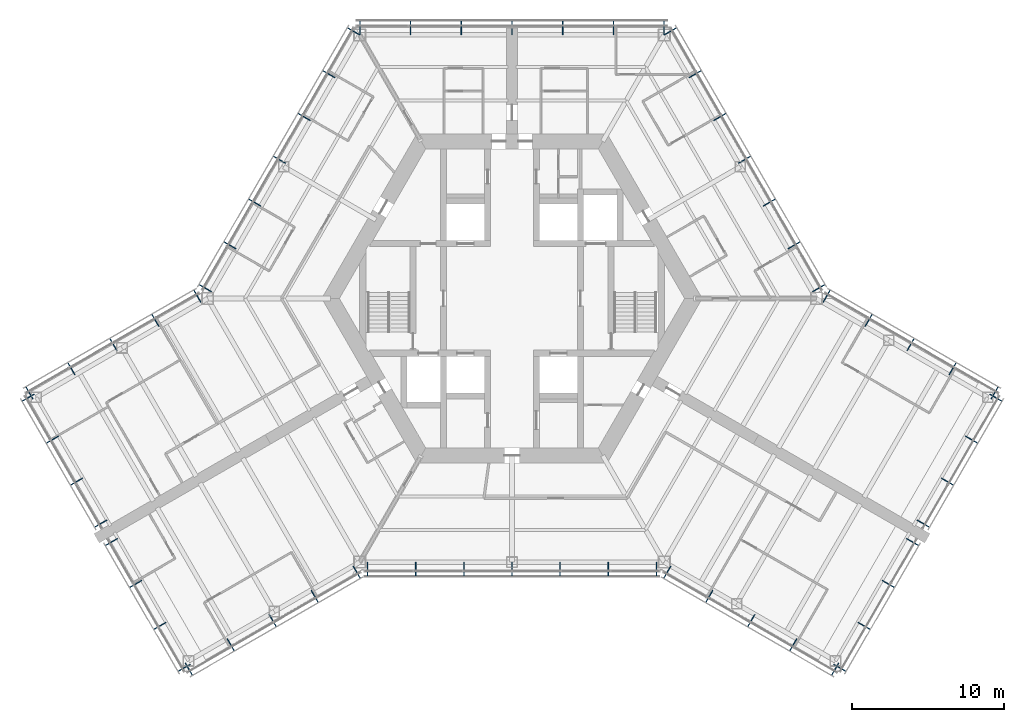
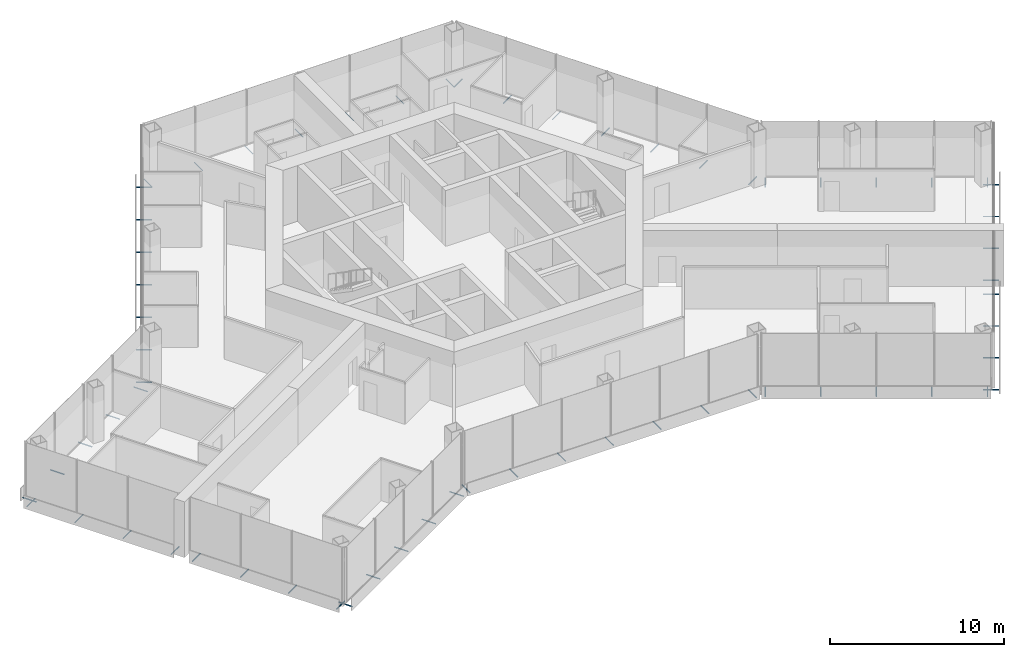
# One storey, part 16 of 18: 64 discrete accessories.
"""IFC4 building model written with IfcOpenShell, lengths in metres."""

from ifc_helpers import new_model, si_unit, direction, frame, origin, origin_2d, place, context, subcontext, project, spatial, hollow_circle, extrude, material, material_profile, profile_set, type_object, element, save


model = new_model("IFC4")

# Units and contexts
model_context = context("Model", 3, precision=1e-05, world=origin(), true_north=direction((0.0, 1.0)))
body_context = subcontext(model_context, "Body", "Model", "MODEL_VIEW")
ifc_project = project(units=[si_unit("LENGTHUNIT", "METRE"), si_unit("AREAUNIT", "SQUARE_METRE"), si_unit("VOLUMEUNIT", "CUBIC_METRE"), si_unit("PLANEANGLEUNIT", "RADIAN"), si_unit("MASSUNIT", "GRAM", prefix="KILO")], contexts=[model_context])

# Site, building, storey
site_placement = place(None, origin())
site = spatial("IfcSite", under=ifc_project, at=site_placement, CompositionType="ELEMENT")
building_placement = place(site_placement, origin())
building = spatial("IfcBuilding", under=site, at=building_placement, Name="Kasaneha Research Tower", CompositionType="ELEMENT")
storey_placement = place(building_placement, frame((0.0, 0.0, 152.60009765625)))
storey = spatial("IfcBuildingStorey", under=building, at=storey_placement, Name="L38", CompositionType="ELEMENT", Elevation=152.60009765625)

# Discrete accessories
ifc_material = material(Name="Steel STK400", Category="steel")
ifc_material_profile = material_profile(ifc_material, hollow_circle(Radius=0.0380859375, WallThickness=0.00390625, at=origin_2d()), Name="CHS-76.3x4.0")
ifc_profile_set = profile_set([ifc_material_profile], Name="Steel STK400")
discrete_accessory_type = type_object("IfcDiscreteAccessoryType", Name="Screen bracket CHS-76.3x4.0", PredefinedType="BRACKET", material=ifc_profile_set)
for number, where, z_axis, x_axis, name in (
    (1, (-9.4892578125, -17.320556640625, -0.300048828125), (0.0, -1.0, 0.0), (1.0, 0.0, 0.0), "Screen bracket 1"),
    (2, (-6.326171875, -17.320556640625, -0.300048828125), (0.0, -1.0, 0.0), (1.0, 0.0, 0.0), "Screen bracket 2"),
    (3, (-3.1630859375, -17.320556640625, -0.300048828125), (0.0, -1.0, 0.0), (1.0, 0.0, 0.0), "Screen bracket 3"),
    (4, (0.0, -17.320556640625, -0.300048828125), (0.0, -1.0, 0.0), (1.0, 0.0, 0.0), "Screen bracket 4"),
    (5, (3.1630859375, -17.320556640625, -0.300048828125), (0.0, -1.0, 0.0), (1.0, 0.0, 0.0), "Screen bracket 5"),
    (6, (6.326171875, -17.320556640625, -0.300048828125), (0.0, -1.0, 0.0), (1.0, 0.0, 0.0), "Screen bracket 6"),
    (7, (9.4892578125, -17.320556640625, -0.300048828125), (0.0, -1.0, 0.0), (1.0, 0.0, 0.0), "Screen bracket 7"),
    (8, (10.4423828125, -17.575927734375, -0.300048828125), (-0.500021113727, -0.866013213425, 0.0), (0.866013213425, -0.500021113727, 0.0), "Screen bracket 1"),
):
    element("IfcDiscreteAccessory", number, at=place(storey_placement, frame(where, z_axis=z_axis, x_axis=x_axis)), inside=storey, type_object=discrete_accessory_type, Name=name, PredefinedType="BRACKET", context=body_context, shape_type="SweptSolid", body=[
        extrude(hollow_circle(Radius=0.0380859375, WallThickness=0.00390625, at=origin_2d()), origin(), (0.0, 0.0, 1.0), 0.919921875),
    ])
discrete_accessory_1_placement = place(storey_placement, frame((13.200439453125, -19.168212890625, -0.300048828125), z_axis=(-0.499906209203, -0.866079547155, 0.0), x_axis=(0.866079547155, -0.499906209203, 0.0)))
element("IfcDiscreteAccessory", 9, at=discrete_accessory_1_placement, inside=storey, type_object=discrete_accessory_type, Name="Screen bracket 2", PredefinedType="BRACKET", context=body_context, shape_type="SweptSolid", body=[
    extrude(hollow_circle(Radius=0.0380859375, WallThickness=0.00390625, at=origin_2d()), origin(), (0.0, 0.0, 1.0), 0.920166015625),
])
discrete_accessory_2_placement = place(storey_placement, frame((15.95849609375, -20.7607421875, -0.300048828125), z_axis=(-0.500021113727, -0.866013213425, 0.0), x_axis=(0.866013213425, -0.500021113727, 0.0)))
element("IfcDiscreteAccessory", 10, at=discrete_accessory_2_placement, inside=storey, type_object=discrete_accessory_type, Name="Screen bracket 3", PredefinedType="BRACKET", context=body_context, shape_type="SweptSolid", body=[
    extrude(hollow_circle(Radius=0.0380859375, WallThickness=0.00390625, at=origin_2d()), origin(), (0.0, 0.0, 1.0), 0.919921875),
])
discrete_accessory_3_placement = place(storey_placement, frame((18.716796875, -22.35302734375, -0.300048828125), z_axis=(-0.500105201737, -0.865964657013, 0.0), x_axis=(0.865964657013, -0.500105201737, 0.0)))
element("IfcDiscreteAccessory", 11, at=discrete_accessory_3_placement, inside=storey, type_object=discrete_accessory_type, Name="Screen bracket 4", PredefinedType="BRACKET", context=body_context, shape_type="SweptSolid", body=[
    extrude(hollow_circle(Radius=0.0380859375, WallThickness=0.00390625, at=origin_2d()), origin(), (0.0, 0.0, 1.0), 0.920166015625),
])
discrete_accessory_4_placement = place(storey_placement, frame((21.474853515625, -23.945556640625, -0.300048828125), z_axis=(-0.500021113727, -0.866013213425, 0.0), x_axis=(0.866013213425, -0.500021113727, 0.0)))
element("IfcDiscreteAccessory", 12, at=discrete_accessory_4_placement, inside=storey, type_object=discrete_accessory_type, Name="Screen bracket 5", PredefinedType="BRACKET", context=body_context, shape_type="SweptSolid", body=[
    extrude(hollow_circle(Radius=0.0380859375, WallThickness=0.00390625, at=origin_2d()), origin(), (0.0, 0.0, 1.0), 0.919921875),
])
discrete_accessory_5_placement = place(storey_placement, frame((21.13330078125, -24.037109375, -0.300048828125), z_axis=(0.866079547155, -0.499906209203, 0.0), x_axis=(0.499906209203, 0.866079547155, 0.0)))
element("IfcDiscreteAccessory", 13, at=discrete_accessory_5_placement, inside=storey, type_object=discrete_accessory_type, Name="Screen bracket 1", PredefinedType="BRACKET", context=body_context, shape_type="SweptSolid", body=[
    extrude(hollow_circle(Radius=0.0380859375, WallThickness=0.00390625, at=origin_2d()), origin(), (0.0, 0.0, 1.0), 0.920166015625),
])
discrete_accessory_6_placement = place(storey_placement, frame((22.72509765625, -21.2802734375, -0.300048828125), z_axis=(0.866013213425, -0.500021113727, 0.0), x_axis=(0.500021113727, 0.866013213425, 0.0)))
element("IfcDiscreteAccessory", 14, at=discrete_accessory_6_placement, inside=storey, type_object=discrete_accessory_type, Name="Screen bracket 2", PredefinedType="BRACKET", context=body_context, shape_type="SweptSolid", body=[
    extrude(hollow_circle(Radius=0.0380859375, WallThickness=0.00390625, at=origin_2d()), origin(), (0.0, 0.0, 1.0), 0.919921875),
])
discrete_accessory_7_placement = place(storey_placement, frame((24.316650390625, -18.5234375, -0.300048828125), z_axis=(0.866079547155, -0.499906209203, 0.0), x_axis=(0.499906209203, 0.866079547155, 0.0)))
element("IfcDiscreteAccessory", 15, at=discrete_accessory_7_placement, inside=storey, type_object=discrete_accessory_type, Name="Screen bracket 3", PredefinedType="BRACKET", context=body_context, shape_type="SweptSolid", body=[
    extrude(hollow_circle(Radius=0.0380859375, WallThickness=0.00390625, at=origin_2d()), origin(), (0.0, 0.0, 1.0), 0.920166015625),
])
for number, where, z_axis, x_axis, name in (
    (16, (25.908447265625, -15.766357421875, -0.300048828125), (0.865898279276, -0.500220121494, 0.0), (0.500220121494, 0.865898279276, 0.0), "Screen bracket 4"),
    (17, (26.6083984375, -14.553955078125, -0.300048828125), (0.866013213425, -0.500021113727, 0.0), (0.500021113727, 0.866013213425, 0.0), "Screen bracket 1"),
):
    element("IfcDiscreteAccessory", number, at=place(storey_placement, frame(where, z_axis=z_axis, x_axis=x_axis)), inside=storey, type_object=discrete_accessory_type, Name=name, PredefinedType="BRACKET", context=body_context, shape_type="SweptSolid", body=[
        extrude(hollow_circle(Radius=0.0380859375, WallThickness=0.00390625, at=origin_2d()), origin(), (0.0, 0.0, 1.0), 0.919921875),
    ])
discrete_accessory_8_placement = place(storey_placement, frame((28.199951171875, -11.797119140625, -0.300048828125), z_axis=(0.866079547155, -0.499906209203, 0.0), x_axis=(0.499906209203, 0.866079547155, 0.0)))
element("IfcDiscreteAccessory", 18, at=discrete_accessory_8_placement, inside=storey, type_object=discrete_accessory_type, Name="Screen bracket 2", PredefinedType="BRACKET", context=body_context, shape_type="SweptSolid", body=[
    extrude(hollow_circle(Radius=0.0380859375, WallThickness=0.00390625, at=origin_2d()), origin(), (0.0, 0.0, 1.0), 0.920166015625),
])
discrete_accessory_9_placement = place(storey_placement, frame((29.791748046875, -9.040283203125, -0.300048828125), z_axis=(0.866013213425, -0.500021113727, 0.0), x_axis=(0.500021113727, 0.866013213425, 0.0)))
element("IfcDiscreteAccessory", 19, at=discrete_accessory_9_placement, inside=storey, type_object=discrete_accessory_type, Name="Screen bracket 3", PredefinedType="BRACKET", context=body_context, shape_type="SweptSolid", body=[
    extrude(hollow_circle(Radius=0.0380859375, WallThickness=0.00390625, at=origin_2d()), origin(), (0.0, 0.0, 1.0), 0.919921875),
])
discrete_accessory_10_placement = place(storey_placement, frame((31.38330078125, -6.283447265625, -0.300048828125), z_axis=(0.866079547155, -0.499906209203, 0.0), x_axis=(0.499906209203, 0.866079547155, 0.0)))
element("IfcDiscreteAccessory", 20, at=discrete_accessory_10_placement, inside=storey, type_object=discrete_accessory_type, Name="Screen bracket 4", PredefinedType="BRACKET", context=body_context, shape_type="SweptSolid", body=[
    extrude(hollow_circle(Radius=0.0380859375, WallThickness=0.00390625, at=origin_2d()), origin(), (0.0, 0.0, 1.0), 0.920166015625),
])
discrete_accessory_11_placement = place(storey_placement, frame((31.474853515625, -6.625, -0.300048828125), z_axis=(0.500021113727, 0.866013213425, 0.0), x_axis=(-0.866013213425, 0.500021113727, 0.0)))
element("IfcDiscreteAccessory", 21, at=discrete_accessory_11_placement, inside=storey, type_object=discrete_accessory_type, Name="Screen bracket 1", PredefinedType="BRACKET", context=body_context, shape_type="SweptSolid", body=[
    extrude(hollow_circle(Radius=0.0380859375, WallThickness=0.00390625, at=origin_2d()), origin(), (0.0, 0.0, 1.0), 0.919921875),
])
discrete_accessory_12_placement = place(storey_placement, frame((28.716796875, -5.03271484375, -0.300048828125), z_axis=(0.499906209203, 0.866079547155, 0.0), x_axis=(-0.866079547155, 0.499906209203, 0.0)))
element("IfcDiscreteAccessory", 22, at=discrete_accessory_12_placement, inside=storey, type_object=discrete_accessory_type, Name="Screen bracket 2", PredefinedType="BRACKET", context=body_context, shape_type="SweptSolid", body=[
    extrude(hollow_circle(Radius=0.0380859375, WallThickness=0.00390625, at=origin_2d()), origin(), (0.0, 0.0, 1.0), 0.920166015625),
])
discrete_accessory_13_placement = place(storey_placement, frame((25.95849609375, -3.440185546875, -0.300048828125), z_axis=(0.500220121494, 0.865898279276, 0.0), x_axis=(-0.865898279276, 0.500220121494, 0.0)))
element("IfcDiscreteAccessory", 23, at=discrete_accessory_13_placement, inside=storey, type_object=discrete_accessory_type, Name="Screen bracket 3", PredefinedType="BRACKET", context=body_context, shape_type="SweptSolid", body=[
    extrude(hollow_circle(Radius=0.0380859375, WallThickness=0.00390625, at=origin_2d()), origin(), (0.0, 0.0, 1.0), 0.919921875),
])
discrete_accessory_14_placement = place(storey_placement, frame((23.200439453125, -1.847900390625, -0.300048828125), z_axis=(0.499906209203, 0.866079547155, 0.0), x_axis=(-0.866079547155, 0.499906209203, 0.0)))
element("IfcDiscreteAccessory", 24, at=discrete_accessory_14_placement, inside=storey, type_object=discrete_accessory_type, Name="Screen bracket 4", PredefinedType="BRACKET", context=body_context, shape_type="SweptSolid", body=[
    extrude(hollow_circle(Radius=0.0380859375, WallThickness=0.00390625, at=origin_2d()), origin(), (0.0, 0.0, 1.0), 0.920166015625),
])
for number, where, z_axis, x_axis, name in (
    (25, (20.4423828125, -0.25537109375, -0.300048828125), (0.500021113727, 0.866013213425, 0.0), (-0.866013213425, 0.500021113727, 0.0), "Screen bracket 5"),
    (26, (19.74462890625, 0.4423828125, -0.300048828125), (0.866013213425, 0.500021113727, 0.0), (-0.500021113727, 0.866013213425, 0.0), "Screen bracket 1"),
    (27, (18.120849609375, 3.2548828125, -0.300048828125), (0.866013213425, 0.500021113727, 0.0), (-0.500021113727, 0.866013213425, 0.0), "Screen bracket 2"),
    (28, (16.4970703125, 6.0673828125, -0.300048828125), (0.866013213425, 0.500021113727, 0.0), (-0.500021113727, 0.866013213425, 0.0), "Screen bracket 3"),
    (29, (14.873291015625, 8.8798828125, -0.300048828125), (0.866013213425, 0.500021113727, 0.0), (-0.500021113727, 0.866013213425, 0.0), "Screen bracket 4"),
    (30, (13.24951171875, 11.6923828125, -0.300048828125), (0.866013213425, 0.500021113727, 0.0), (-0.500021113727, 0.866013213425, 0.0), "Screen bracket 5"),
):
    element("IfcDiscreteAccessory", number, at=place(storey_placement, frame(where, z_axis=z_axis, x_axis=x_axis)), inside=storey, type_object=discrete_accessory_type, Name=name, PredefinedType="BRACKET", context=body_context, shape_type="SweptSolid", body=[
        extrude(hollow_circle(Radius=0.0380859375, WallThickness=0.00390625, at=origin_2d()), origin(), (0.0, 0.0, 1.0), 0.919921875),
    ])
for number, where, z_axis, x_axis, name in (
    (31, (11.62548828125, 14.5048828125, -0.300048828125), (0.866079547155, 0.499906209203, 0.0), (-0.499906209203, 0.866079547155, 0.0), "Screen bracket 6"),
    (32, (10.001708984375, 17.3173828125, -0.300048828125), (0.866079547155, 0.499906209203, 0.0), (-0.499906209203, 0.866079547155, 0.0), "Screen bracket 7"),
):
    element("IfcDiscreteAccessory", number, at=place(storey_placement, frame(where, z_axis=z_axis, x_axis=x_axis)), inside=storey, type_object=discrete_accessory_type, Name=name, PredefinedType="BRACKET", context=body_context, shape_type="SweptSolid", body=[
        extrude(hollow_circle(Radius=0.0380859375, WallThickness=0.00390625, at=origin_2d()), origin(), (0.0, 0.0, 1.0), 0.920166015625),
    ])
for number, where, z_axis, x_axis, name in (
    (33, (9.996337890625, 17.320556640625, -0.300048828125), (0.0, 1.0, 0.0), (-1.0, 0.0, 0.0), "Screen bracket 1"),
    (34, (6.664306640625, 17.320556640625, -0.300048828125), (0.0, 1.0, 0.0), (-1.0, 0.0, 0.0), "Screen bracket 2"),
    (35, (3.33203125, 17.320556640625, -0.300048828125), (0.0, 1.0, 0.0), (-1.0, 0.0, 0.0), "Screen bracket 3"),
    (36, (0.0, 17.320556640625, -0.300048828125), (0.0, 1.0, 0.0), (-1.0, 0.0, 0.0), "Screen bracket 4"),
    (37, (-3.33203125, 17.320556640625, -0.300048828125), (0.0, 1.0, 0.0), (-1.0, 0.0, 0.0), "Screen bracket 5"),
    (38, (-6.664306640625, 17.320556640625, -0.300048828125), (0.0, 1.0, 0.0), (-1.0, 0.0, 0.0), "Screen bracket 6"),
    (39, (-9.996337890625, 17.320556640625, -0.300048828125), (0.0, 1.0, 0.0), (-1.0, 0.0, 0.0), "Screen bracket 7"),
):
    element("IfcDiscreteAccessory", number, at=place(storey_placement, frame(where, z_axis=z_axis, x_axis=x_axis)), inside=storey, type_object=discrete_accessory_type, Name=name, PredefinedType="BRACKET", context=body_context, shape_type="SweptSolid", body=[
        extrude(hollow_circle(Radius=0.0380859375, WallThickness=0.00390625, at=origin_2d()), origin(), (0.0, 0.0, 1.0), 0.919921875),
    ])
for number, where, z_axis, x_axis, name in (
    (40, (-10.001708984375, 17.3173828125, -0.300048828125), (-0.866079547155, 0.499906209203, 0.0), (-0.499906209203, -0.866079547155, 0.0), "Screen bracket 1"),
    (41, (-11.62548828125, 14.5048828125, -0.300048828125), (-0.866079547155, 0.499906209203, 0.0), (-0.499906209203, -0.866079547155, 0.0), "Screen bracket 2"),
):
    element("IfcDiscreteAccessory", number, at=place(storey_placement, frame(where, z_axis=z_axis, x_axis=x_axis)), inside=storey, type_object=discrete_accessory_type, Name=name, PredefinedType="BRACKET", context=body_context, shape_type="SweptSolid", body=[
        extrude(hollow_circle(Radius=0.0380859375, WallThickness=0.00390625, at=origin_2d()), origin(), (0.0, 0.0, 1.0), 0.920166015625),
    ])
for number, where, z_axis, x_axis, name in (
    (42, (-13.24951171875, 11.6923828125, -0.300048828125), (-0.866013213425, 0.500021113727, 0.0), (-0.500021113727, -0.866013213425, 0.0), "Screen bracket 3"),
    (43, (-14.873291015625, 8.8798828125, -0.300048828125), (-0.866013213425, 0.500021113727, 0.0), (-0.500021113727, -0.866013213425, 0.0), "Screen bracket 4"),
    (44, (-16.4970703125, 6.0673828125, -0.300048828125), (-0.866013213425, 0.500021113727, 0.0), (-0.500021113727, -0.866013213425, 0.0), "Screen bracket 5"),
    (45, (-18.120849609375, 3.2548828125, -0.300048828125), (-0.866013213425, 0.500021113727, 0.0), (-0.500021113727, -0.866013213425, 0.0), "Screen bracket 6"),
    (46, (-19.74462890625, 0.4423828125, -0.300048828125), (-0.866013213425, 0.500021113727, 0.0), (-0.500021113727, -0.866013213425, 0.0), "Screen bracket 7"),
    (47, (-20.4423828125, -0.25537109375, -0.300048828125), (-0.500021113727, 0.866013213425, 0.0), (-0.866013213425, -0.500021113727, 0.0), "Screen bracket 1"),
):
    element("IfcDiscreteAccessory", number, at=place(storey_placement, frame(where, z_axis=z_axis, x_axis=x_axis)), inside=storey, type_object=discrete_accessory_type, Name=name, PredefinedType="BRACKET", context=body_context, shape_type="SweptSolid", body=[
        extrude(hollow_circle(Radius=0.0380859375, WallThickness=0.00390625, at=origin_2d()), origin(), (0.0, 0.0, 1.0), 0.919921875),
    ])
discrete_accessory_15_placement = place(storey_placement, frame((-23.200439453125, -1.847900390625, -0.300048828125), z_axis=(-0.499906209203, 0.866079547155, 0.0), x_axis=(-0.866079547155, -0.499906209203, 0.0)))
element("IfcDiscreteAccessory", 48, at=discrete_accessory_15_placement, inside=storey, type_object=discrete_accessory_type, Name="Screen bracket 2", PredefinedType="BRACKET", context=body_context, shape_type="SweptSolid", body=[
    extrude(hollow_circle(Radius=0.0380859375, WallThickness=0.00390625, at=origin_2d()), origin(), (0.0, 0.0, 1.0), 0.920166015625),
])
discrete_accessory_16_placement = place(storey_placement, frame((-25.95849609375, -3.440185546875, -0.300048828125), z_axis=(-0.500220121494, 0.865898279276, 0.0), x_axis=(-0.865898279276, -0.500220121494, 0.0)))
element("IfcDiscreteAccessory", 49, at=discrete_accessory_16_placement, inside=storey, type_object=discrete_accessory_type, Name="Screen bracket 3", PredefinedType="BRACKET", context=body_context, shape_type="SweptSolid", body=[
    extrude(hollow_circle(Radius=0.0380859375, WallThickness=0.00390625, at=origin_2d()), origin(), (0.0, 0.0, 1.0), 0.919921875),
])
discrete_accessory_17_placement = place(storey_placement, frame((-28.716796875, -5.03271484375, -0.300048828125), z_axis=(-0.499906209203, 0.866079547155, 0.0), x_axis=(-0.866079547155, -0.499906209203, 0.0)))
element("IfcDiscreteAccessory", 50, at=discrete_accessory_17_placement, inside=storey, type_object=discrete_accessory_type, Name="Screen bracket 4", PredefinedType="BRACKET", context=body_context, shape_type="SweptSolid", body=[
    extrude(hollow_circle(Radius=0.0380859375, WallThickness=0.00390625, at=origin_2d()), origin(), (0.0, 0.0, 1.0), 0.920166015625),
])
discrete_accessory_18_placement = place(storey_placement, frame((-31.474853515625, -6.625, -0.300048828125), z_axis=(-0.500021113727, 0.866013213425, 0.0), x_axis=(-0.866013213425, -0.500021113727, 0.0)))
element("IfcDiscreteAccessory", 51, at=discrete_accessory_18_placement, inside=storey, type_object=discrete_accessory_type, Name="Screen bracket 5", PredefinedType="BRACKET", context=body_context, shape_type="SweptSolid", body=[
    extrude(hollow_circle(Radius=0.0380859375, WallThickness=0.00390625, at=origin_2d()), origin(), (0.0, 0.0, 1.0), 0.919921875),
])
discrete_accessory_19_placement = place(storey_placement, frame((-31.38330078125, -6.283447265625, -0.300048828125), z_axis=(-0.866079547155, -0.499906209203, 0.0), x_axis=(0.499906209203, -0.866079547155, 0.0)))
element("IfcDiscreteAccessory", 52, at=discrete_accessory_19_placement, inside=storey, type_object=discrete_accessory_type, Name="Screen bracket 1", PredefinedType="BRACKET", context=body_context, shape_type="SweptSolid", body=[
    extrude(hollow_circle(Radius=0.0380859375, WallThickness=0.00390625, at=origin_2d()), origin(), (0.0, 0.0, 1.0), 0.920166015625),
])
discrete_accessory_20_placement = place(storey_placement, frame((-29.791748046875, -9.040283203125, -0.300048828125), z_axis=(-0.866013213425, -0.500021113727, 0.0), x_axis=(0.500021113727, -0.866013213425, 0.0)))
element("IfcDiscreteAccessory", 53, at=discrete_accessory_20_placement, inside=storey, type_object=discrete_accessory_type, Name="Screen bracket 2", PredefinedType="BRACKET", context=body_context, shape_type="SweptSolid", body=[
    extrude(hollow_circle(Radius=0.0380859375, WallThickness=0.00390625, at=origin_2d()), origin(), (0.0, 0.0, 1.0), 0.919921875),
])
discrete_accessory_21_placement = place(storey_placement, frame((-28.199951171875, -11.797119140625, -0.300048828125), z_axis=(-0.866079547155, -0.499906209203, 0.0), x_axis=(0.499906209203, -0.866079547155, 0.0)))
element("IfcDiscreteAccessory", 54, at=discrete_accessory_21_placement, inside=storey, type_object=discrete_accessory_type, Name="Screen bracket 3", PredefinedType="BRACKET", context=body_context, shape_type="SweptSolid", body=[
    extrude(hollow_circle(Radius=0.0380859375, WallThickness=0.00390625, at=origin_2d()), origin(), (0.0, 0.0, 1.0), 0.920166015625),
])
for number, where, z_axis, x_axis, name in (
    (55, (-26.6083984375, -14.553955078125, -0.300048828125), (-0.866013213425, -0.500021113727, 0.0), (0.500021113727, -0.866013213425, 0.0), "Screen bracket 4"),
    (56, (-25.908447265625, -15.766357421875, -0.300048828125), (-0.865898279276, -0.500220121494, 0.0), (0.500220121494, -0.865898279276, 0.0), "Screen bracket 1"),
):
    element("IfcDiscreteAccessory", number, at=place(storey_placement, frame(where, z_axis=z_axis, x_axis=x_axis)), inside=storey, type_object=discrete_accessory_type, Name=name, PredefinedType="BRACKET", context=body_context, shape_type="SweptSolid", body=[
        extrude(hollow_circle(Radius=0.0380859375, WallThickness=0.00390625, at=origin_2d()), origin(), (0.0, 0.0, 1.0), 0.919921875),
    ])
discrete_accessory_22_placement = place(storey_placement, frame((-24.316650390625, -18.5234375, -0.300048828125), z_axis=(-0.866079547155, -0.499906209203, 0.0), x_axis=(0.499906209203, -0.866079547155, 0.0)))
element("IfcDiscreteAccessory", 57, at=discrete_accessory_22_placement, inside=storey, type_object=discrete_accessory_type, Name="Screen bracket 2", PredefinedType="BRACKET", context=body_context, shape_type="SweptSolid", body=[
    extrude(hollow_circle(Radius=0.0380859375, WallThickness=0.00390625, at=origin_2d()), origin(), (0.0, 0.0, 1.0), 0.920166015625),
])
discrete_accessory_23_placement = place(storey_placement, frame((-22.72509765625, -21.2802734375, -0.300048828125), z_axis=(-0.866013213425, -0.500021113727, 0.0), x_axis=(0.500021113727, -0.866013213425, 0.0)))
element("IfcDiscreteAccessory", 58, at=discrete_accessory_23_placement, inside=storey, type_object=discrete_accessory_type, Name="Screen bracket 3", PredefinedType="BRACKET", context=body_context, shape_type="SweptSolid", body=[
    extrude(hollow_circle(Radius=0.0380859375, WallThickness=0.00390625, at=origin_2d()), origin(), (0.0, 0.0, 1.0), 0.919921875),
])
discrete_accessory_24_placement = place(storey_placement, frame((-21.13330078125, -24.037109375, -0.300048828125), z_axis=(-0.866079547155, -0.499906209203, 0.0), x_axis=(0.499906209203, -0.866079547155, 0.0)))
element("IfcDiscreteAccessory", 59, at=discrete_accessory_24_placement, inside=storey, type_object=discrete_accessory_type, Name="Screen bracket 4", PredefinedType="BRACKET", context=body_context, shape_type="SweptSolid", body=[
    extrude(hollow_circle(Radius=0.0380859375, WallThickness=0.00390625, at=origin_2d()), origin(), (0.0, 0.0, 1.0), 0.920166015625),
])
discrete_accessory_25_placement = place(storey_placement, frame((-21.474853515625, -23.945556640625, -0.300048828125), z_axis=(0.500021113727, -0.866013213425, 0.0), x_axis=(0.866013213425, 0.500021113727, 0.0)))
element("IfcDiscreteAccessory", 60, at=discrete_accessory_25_placement, inside=storey, type_object=discrete_accessory_type, Name="Screen bracket 1", PredefinedType="BRACKET", context=body_context, shape_type="SweptSolid", body=[
    extrude(hollow_circle(Radius=0.0380859375, WallThickness=0.00390625, at=origin_2d()), origin(), (0.0, 0.0, 1.0), 0.919921875),
])
discrete_accessory_26_placement = place(storey_placement, frame((-18.716796875, -22.35302734375, -0.300048828125), z_axis=(0.500105201737, -0.865964657013, 0.0), x_axis=(0.865964657013, 0.500105201737, 0.0)))
element("IfcDiscreteAccessory", 61, at=discrete_accessory_26_placement, inside=storey, type_object=discrete_accessory_type, Name="Screen bracket 2", PredefinedType="BRACKET", context=body_context, shape_type="SweptSolid", body=[
    extrude(hollow_circle(Radius=0.0380859375, WallThickness=0.00390625, at=origin_2d()), origin(), (0.0, 0.0, 1.0), 0.920166015625),
])
discrete_accessory_27_placement = place(storey_placement, frame((-15.95849609375, -20.7607421875, -0.300048828125), z_axis=(0.500021113727, -0.866013213425, 0.0), x_axis=(0.866013213425, 0.500021113727, 0.0)))
element("IfcDiscreteAccessory", 62, at=discrete_accessory_27_placement, inside=storey, type_object=discrete_accessory_type, Name="Screen bracket 3", PredefinedType="BRACKET", context=body_context, shape_type="SweptSolid", body=[
    extrude(hollow_circle(Radius=0.0380859375, WallThickness=0.00390625, at=origin_2d()), origin(), (0.0, 0.0, 1.0), 0.919921875),
])
discrete_accessory_28_placement = place(storey_placement, frame((-13.200439453125, -19.168212890625, -0.300048828125), z_axis=(0.499906209203, -0.866079547155, 0.0), x_axis=(0.866079547155, 0.499906209203, 0.0)))
element("IfcDiscreteAccessory", 63, at=discrete_accessory_28_placement, inside=storey, type_object=discrete_accessory_type, Name="Screen bracket 4", PredefinedType="BRACKET", context=body_context, shape_type="SweptSolid", body=[
    extrude(hollow_circle(Radius=0.0380859375, WallThickness=0.00390625, at=origin_2d()), origin(), (0.0, 0.0, 1.0), 0.920166015625),
])
discrete_accessory_29_placement = place(storey_placement, frame((-10.4423828125, -17.575927734375, -0.300048828125), z_axis=(0.500021113727, -0.866013213425, 0.0), x_axis=(0.866013213425, 0.500021113727, 0.0)))
element("IfcDiscreteAccessory", 64, at=discrete_accessory_29_placement, inside=storey, type_object=discrete_accessory_type, Name="Screen bracket 5", PredefinedType="BRACKET", context=body_context, shape_type="SweptSolid", body=[
    extrude(hollow_circle(Radius=0.0380859375, WallThickness=0.00390625, at=origin_2d()), origin(), (0.0, 0.0, 1.0), 0.919921875),
])

save(model, "model.ifc")
